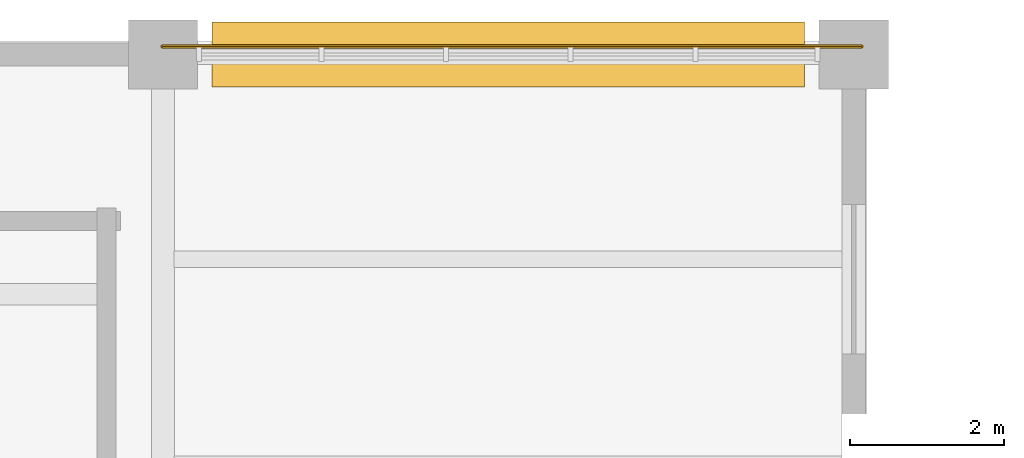
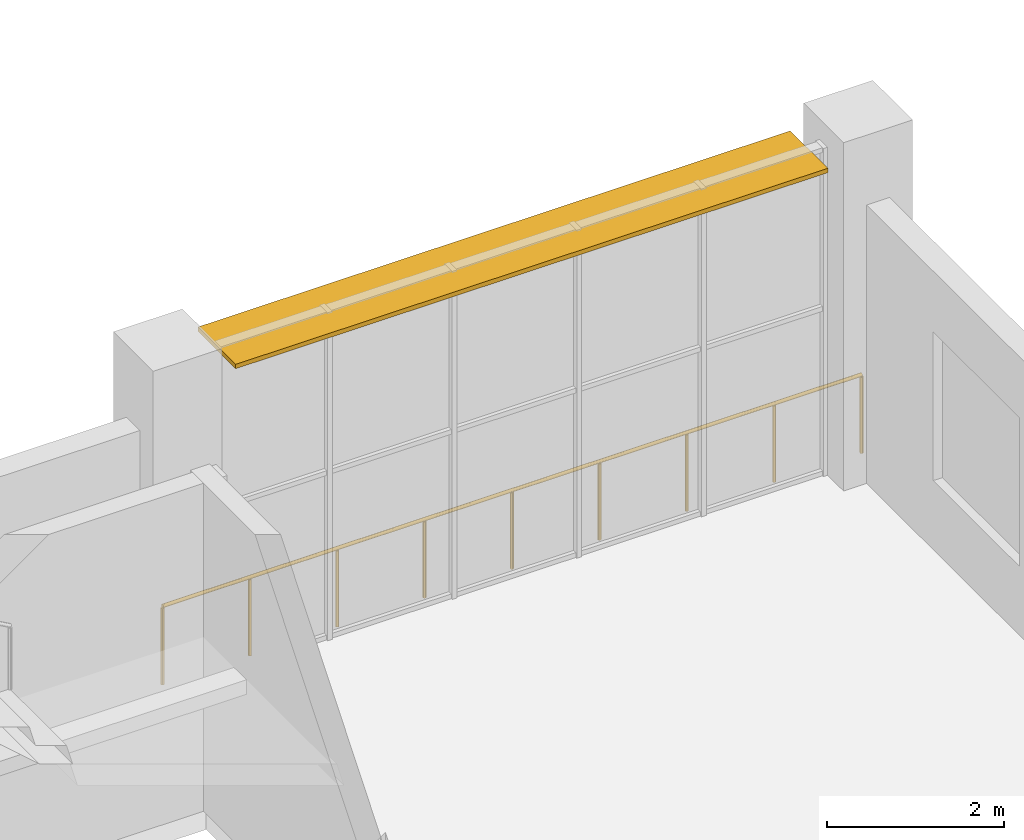
# One storey, part 169 of 183: 1 railing, 1 shading device.
"""IFC4 building model written with IfcOpenShell, lengths in metres."""

from ifc_helpers import new_model, si_unit, direction, frame, origin, origin_2d, place, context, subcontext, project, spatial, rectangle, circle, extrude, material, layer, layer_set, type_object, element, save


model = new_model("IFC4")

# Units and contexts
model_context = context("Model", 3, precision=1e-05, world=origin(), true_north=direction((0.0, 1.0)))
body_context = subcontext(model_context, "Body", "Model", "MODEL_VIEW")
ifc_project = project(units=[si_unit("LENGTHUNIT", "METRE"), si_unit("AREAUNIT", "SQUARE_METRE"), si_unit("VOLUMEUNIT", "CUBIC_METRE"), si_unit("PLANEANGLEUNIT", "RADIAN"), si_unit("MASSUNIT", "GRAM", prefix="KILO")], contexts=[model_context])

# Site, building, storey
site_placement = place(None, origin())
site = spatial("IfcSite", under=ifc_project, at=site_placement, CompositionType="ELEMENT")
building_placement = place(site_placement, origin())
building = spatial("IfcBuilding", under=site, at=building_placement, Name="Zevraka Park Crest Stadium", CompositionType="ELEMENT")
storey_placement = place(building_placement, frame((0.0, 0.0, 5.39990234375)))
storey = spatial("IfcBuildingStorey", under=building, at=storey_placement, Name="L01", CompositionType="ELEMENT", Elevation=5.39990234375)

# Railing
ifc_material_1 = material(Name="Galvanised and bronze-finished steel balustrade", Category="steel")
railing_type = type_object("IfcRailingType", Name="GR01", PredefinedType="GUARDRAIL", material=ifc_material_1)
railing_placement = place(storey_placement, frame((62.990966796875, 184.10498046875, 0.0)))
element("IfcRailing", 1, at=railing_placement, inside=storey, type_object=railing_type, Name="Deck Edge Protection Guardrail GR01 L01-4", PredefinedType="GUARDRAIL", context=body_context, shape_type="SweptSolid", body=[
    extrude(circle(Radius=0.02392578125, at=origin_2d()), frame((0.0, 0.0, 1.076171875), z_axis=(1.0, 0.0, 0.0), x_axis=(0.0, 1.0, 0.0)), (0.0, 0.0, 1.0), 9.114013671875),
    extrude(circle(Radius=0.02099609375, at=origin_2d()), origin(), (0.0, 0.0, 1.0), 1.052001953125),
    extrude(circle(Radius=0.02099609375, at=origin_2d()), frame((1.13916015625, 0.0, 0.0)), (0.0, 0.0, 1.0), 1.052001953125),
    extrude(circle(Radius=0.02099609375, at=origin_2d()), frame((2.278564453125, 0.0, 0.0)), (0.0, 0.0, 1.0), 1.052001953125),
    extrude(circle(Radius=0.02099609375, at=origin_2d()), frame((3.417724609375, 0.0, 0.0)), (0.0, 0.0, 1.0), 1.052001953125),
    extrude(circle(Radius=0.02099609375, at=origin_2d()), frame((4.55712890625, 0.0, 0.0)), (0.0, 0.0, 1.0), 1.052001953125),
    extrude(circle(Radius=0.02099609375, at=origin_2d()), frame((5.6962890625, 0.0, 0.0)), (0.0, 0.0, 1.0), 1.052001953125),
    extrude(circle(Radius=0.02099609375, at=origin_2d()), frame((6.83544921875, 0.0, 0.0)), (0.0, 0.0, 1.0), 1.052001953125),
    extrude(circle(Radius=0.02099609375, at=origin_2d()), frame((7.974853515625, 0.0, 0.0)), (0.0, 0.0, 1.0), 1.052001953125),
    extrude(circle(Radius=0.02099609375, at=origin_2d()), frame((9.114013671875, 0.0, 0.0)), (0.0, 0.0, 1.0), 1.052001953125),
])

# Shading device
ifc_material_2 = material(Name="Architectural golden-bronze anodised bronze", Category="aluminium")
ifc_layer = layer(ifc_material_2, 0.06005859375)
ifc_layer_set = layer_set([ifc_layer], Name="Architectural golden-bronze anodised bronze")
shading_device_type = type_object("IfcShadingDeviceType", Name="SHD01", PredefinedType="USERDEFINED", material=ifc_layer_set)
shading_device_placement = place(storey_placement, frame((67.5, 184.0, 4.440185546875), z_axis=(0.0, 0.0, 1.0), x_axis=(1.0, 0.0, 0.0)))
element("IfcShadingDevice", 2, at=shading_device_placement, inside=storey, type_object=shading_device_type, Name="Wing Bronze Solar Screen SHD01 L01-NW-N-8", ObjectType="SOLAR SCREEN", PredefinedType="USERDEFINED", context=body_context, shape_type="SweptSolid", body=[
    extrude(rectangle(XDim=7.719970703125, YDim=0.85009765625, at=origin_2d()), origin(), (0.0, 0.0, 1.0), 0.06005859375),
])

save(model, "model.ifc")
